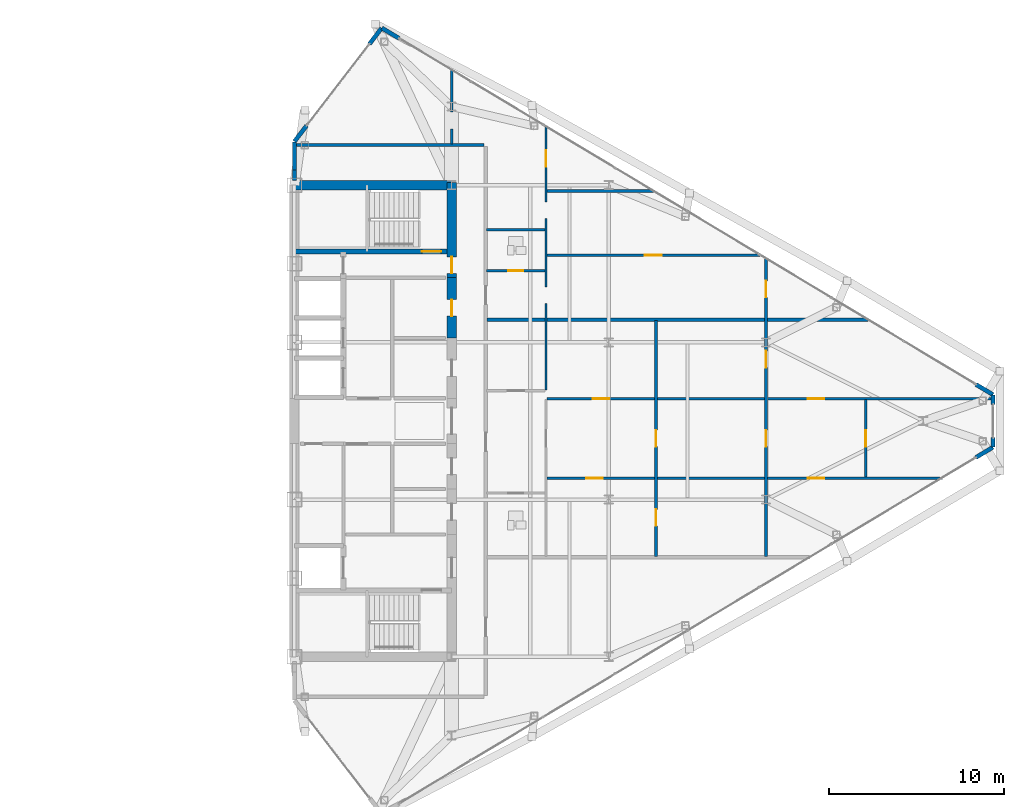
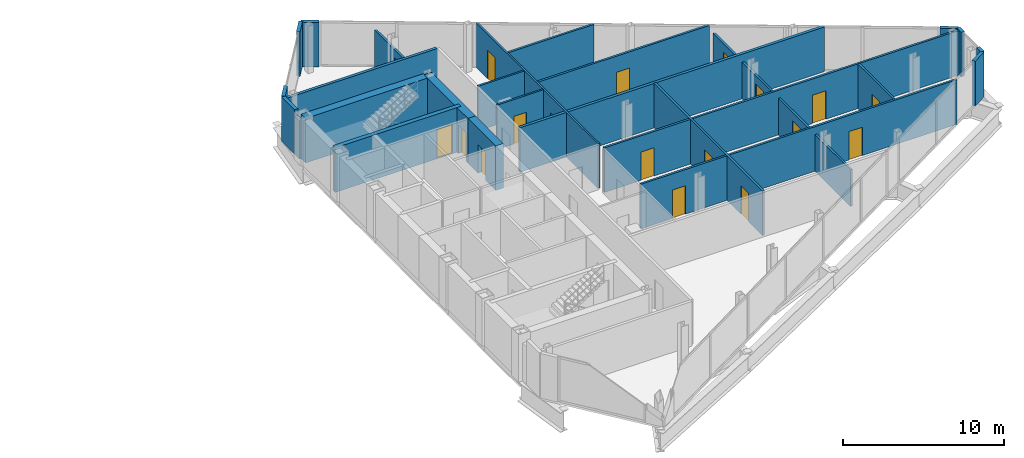
# One storey, part 25 of 29: 26 walls, 16 doors, 19 openings.
"""IFC4 building model written with IfcOpenShell, lengths in metres."""

from ifc_helpers import new_model, si_unit, direction, frame, frame_2d, origin, place, context, subcontext, project, spatial, rectangle, extrude, source, transform, mapped, material, layer, layer_set, type_object, type_shapes, element, fill, save


model = new_model("IFC4")

# Units and contexts
model_context = context("Model", 3, precision=1e-05, world=origin(), true_north=direction((0.0, 1.0)))
body_context = subcontext(model_context, "Body", "Model", "MODEL_VIEW")
ifc_project = project(units=[si_unit("LENGTHUNIT", "METRE"), si_unit("AREAUNIT", "SQUARE_METRE"), si_unit("VOLUMEUNIT", "CUBIC_METRE"), si_unit("PLANEANGLEUNIT", "RADIAN"), si_unit("MASSUNIT", "GRAM", prefix="KILO")], contexts=[model_context])

# Site, building, storey
site_placement = place(None, origin())
site = spatial("IfcSite", under=ifc_project, at=site_placement, CompositionType="ELEMENT")
building_placement = place(site_placement, origin())
building = spatial("IfcBuilding", under=site, at=building_placement, Name="Seokmaru Belvedere", CompositionType="ELEMENT")
storey_placement = place(building_placement, frame((0.0, 0.0, 195.89990234375)))
storey = spatial("IfcBuildingStorey", under=building, at=storey_placement, Name="L52", CompositionType="ELEMENT", Elevation=195.89990234375)

# Wall, openings, doors
ifc_material_1 = material(Name="Fire-Rated Gypsum Shaftwall")
ifc_layer_1 = layer(ifc_material_1, 0.14990234375)
ifc_layer_set_1 = layer_set([ifc_layer_1], Name="Fire-Rated Gypsum Shaftwall")
wall_type_1 = type_object("IfcWallType", Name="Apartment Fire-Acoustic Room Partition 150", PredefinedType="PARTITIONING", material=ifc_layer_set_1)
wall_1_placement = place(storey_placement, frame((41.949951171875, -3.27001953125, 0.0), z_axis=(0.0, 0.0, 1.0), x_axis=(1.0, 0.0, 0.0)))
wall_1 = element("IfcWall", 1, at=wall_1_placement, inside=storey, type_object=wall_type_1, Name="L52 Interior Partition 009", PredefinedType="PARTITIONING", context=body_context, shape_type="SweptSolid", body=[
    extrude(rectangle(XDim=22.64111328125, YDim=0.14990234375, at=frame_2d((11.320556640625, 0.0))), origin(), (0.0, 0.0, 1.0), 3.380126953125),
])
opening_1_placement = place(wall_1_placement, frame((2.251708984375, 0.0, 0.0)))
opening_1 = element("IfcOpeningElement", 2, at=opening_1_placement, cuts=wall_1, Name="Opening D05", PredefinedType="OPENING", context=body_context, shape_type="SweptSolid", body=[
    extrude(rectangle(XDim=0.949951171875, YDim=2.14990234375, at=frame_2d((0.47509765625, 1.074951171875))), frame((0.0, 0.0849609375, 0.0), z_axis=(0.0, -1.0, 0.0), x_axis=(1.0, 0.0, 0.0)), (0.0, 0.0, 1.0), 0.169921875),
])
opening_2_placement = place(wall_1_placement, frame((14.925048828125, 0.0, 0.0)))
opening_2 = element("IfcOpeningElement", 3, at=opening_2_placement, cuts=wall_1, Name="Opening D05", PredefinedType="OPENING", context=body_context, shape_type="SweptSolid", body=[
    extrude(rectangle(XDim=0.949951171875, YDim=2.14990234375, at=frame_2d((0.47509765625, 1.074951171875))), frame((0.0, 0.0849609375, 0.0), z_axis=(0.0, -1.0, 0.0), x_axis=(1.0, 0.0, 0.0)), (0.0, 0.0, 1.0), 0.169921875),
])
ifc_material_2 = material(Name="Engineered White Oak Timber", Category="wood")
door_type_1 = type_object("IfcDoorType", Name="Apartment Interior Fire-Rated Oak Door 950x2150", OperationType="NOTDEFINED", PredefinedType="DOOR", material=ifc_material_2)
shared_shape_1 = source(origin(), body_context, "Body", "SweptSolid", [
    extrude(rectangle(XDim=0.949951171875, YDim=2.14990234375, at=frame_2d((0.47509765625, 1.074951171875))), frame((0.0, 0.02490234375, 0.0), z_axis=(0.0, -1.0, 0.0), x_axis=(1.0, 0.0, 0.0)), (0.0, 0.0, 1.0), 0.050048828125),
])
type_shapes(door_type_1, [shared_shape_1])
door_1_placement = place(opening_1_placement, origin())
door_1 = element("IfcDoor", 4, at=door_1_placement, inside=storey, type_object=door_type_1, Name="L52 Interior Door 023", OperationType="SINGLE_SWING_RIGHT", OverallHeight=2.14990234375, OverallWidth=0.949951171875, PredefinedType="DOOR", context=body_context, shape_type="MappedRepresentation", body=[
    mapped(shared_shape_1, transform((0.0, 0.0, 0.0), scale=1.0)),
])
fill(opening_1, door_1)
door_2_placement = place(opening_2_placement, origin())
door_2 = element("IfcDoor", 5, at=door_2_placement, inside=storey, type_object=door_type_1, Name="L52 Interior Door 027", OperationType="SINGLE_SWING_RIGHT", OverallHeight=2.14990234375, OverallWidth=0.949951171875, PredefinedType="DOOR", context=body_context, shape_type="MappedRepresentation", body=[
    mapped(shared_shape_1, transform((0.0, 0.0, 0.0), scale=1.0)),
])
fill(opening_2, door_2)

wall_2_placement = place(storey_placement, frame((41.949951171875, 1.27001953125, 0.0), z_axis=(0.0, 0.0, 1.0), x_axis=(1.0, 0.0, 0.0)))
wall_2 = element("IfcWall", 6, at=wall_2_placement, inside=storey, type_object=wall_type_1, Name="L52 Interior Partition 012", PredefinedType="PARTITIONING", context=body_context, shape_type="SweptSolid", body=[
    extrude(rectangle(XDim=25.425048828125, YDim=0.14990234375, at=frame_2d((12.71240234375, 0.0))), origin(), (0.0, 0.0, 1.0), 3.380126953125),
])
opening_3_placement = place(wall_2_placement, frame((2.625, 0.0, 0.0)))
opening_3 = element("IfcOpeningElement", 7, at=opening_3_placement, cuts=wall_2, Name="Opening D05", PredefinedType="OPENING", context=body_context, shape_type="SweptSolid", body=[
    extrude(rectangle(XDim=0.949951171875, YDim=2.14990234375, at=frame_2d((0.47509765625, 1.074951171875))), frame((0.0, 0.0849609375, 0.0), z_axis=(0.0, -1.0, 0.0), x_axis=(1.0, 0.0, 0.0)), (0.0, 0.0, 1.0), 0.169921875),
])
opening_4_placement = place(wall_2_placement, frame((14.925048828125, 0.0, 0.0)))
opening_4 = element("IfcOpeningElement", 8, at=opening_4_placement, cuts=wall_2, Name="Opening D05", PredefinedType="OPENING", context=body_context, shape_type="SweptSolid", body=[
    extrude(rectangle(XDim=0.949951171875, YDim=2.14990234375, at=frame_2d((0.47509765625, 1.074951171875))), frame((0.0, 0.0849609375, 0.0), z_axis=(0.0, -1.0, 0.0), x_axis=(1.0, 0.0, 0.0)), (0.0, 0.0, 1.0), 0.169921875),
])
door_3_placement = place(opening_3_placement, origin())
door_3 = element("IfcDoor", 9, at=door_3_placement, inside=storey, type_object=door_type_1, Name="L52 Interior Door 025", OperationType="SINGLE_SWING_LEFT", OverallHeight=2.14990234375, OverallWidth=0.949951171875, PredefinedType="DOOR", context=body_context, shape_type="MappedRepresentation", body=[
    mapped(shared_shape_1, transform((0.0, 0.0, 0.0), scale=1.0)),
])
fill(opening_3, door_3)
door_4_placement = place(opening_4_placement, origin())
door_4 = element("IfcDoor", 10, at=door_4_placement, inside=storey, type_object=door_type_1, Name="L52 Interior Door 029", OperationType="SINGLE_SWING_LEFT", OverallHeight=2.14990234375, OverallWidth=0.949951171875, PredefinedType="DOOR", context=body_context, shape_type="MappedRepresentation", body=[
    mapped(shared_shape_1, transform((0.0, 0.0, 0.0), scale=1.0)),
])
fill(opening_4, door_4)

# Wall, opening, door
wall_3_placement = place(storey_placement, frame((41.949951171875, 9.489990234375, 0.0), z_axis=(0.0, 0.0, 1.0), x_axis=(1.0, 0.0, 0.0)))
wall_3 = element("IfcWall", 11, at=wall_3_placement, inside=storey, type_object=wall_type_1, Name="L52 Interior Partition 019", PredefinedType="PARTITIONING", context=body_context, shape_type="SweptSolid", body=[
    extrude(rectangle(XDim=12.274169921875, YDim=0.14990234375, at=frame_2d((6.13720703125, 0.0))), origin(), (0.0, 0.0, 1.0), 3.380126953125),
])
opening_5_placement = place(wall_3_placement, frame((5.619384765625, 0.0, 0.0)))
opening_5 = element("IfcOpeningElement", 12, at=opening_5_placement, cuts=wall_3, Name="Opening D05", PredefinedType="OPENING", context=body_context, shape_type="SweptSolid", body=[
    extrude(rectangle(XDim=0.949951171875, YDim=2.14990234375, at=frame_2d((0.47509765625, 1.074951171875))), frame((0.0, 0.0849609375, 0.0), z_axis=(0.0, -1.0, 0.0), x_axis=(1.0, 0.0, 0.0)), (0.0, 0.0, 1.0), 0.169921875),
])
door_5_placement = place(opening_5_placement, origin())
door_5 = element("IfcDoor", 13, at=door_5_placement, inside=storey, type_object=door_type_1, Name="L52 Interior Door 036", OperationType="SINGLE_SWING_RIGHT", OverallHeight=2.14990234375, OverallWidth=0.949951171875, PredefinedType="DOOR", context=body_context, shape_type="MappedRepresentation", body=[
    mapped(shared_shape_1, transform((0.0, 0.0, 0.0), scale=1.0)),
])
fill(opening_5, door_5)

# Wall
wall_4_placement = place(storey_placement, frame((41.949951171875, 13.169921875, 0.0), z_axis=(0.0, 0.0, 1.0), x_axis=(1.0, 0.0, 0.0)))
element("IfcWall", 14, at=wall_4_placement, inside=storey, type_object=wall_type_1, Name="L52 Interior Partition 021", PredefinedType="PARTITIONING", context=body_context, shape_type="SweptSolid", body=[
    extrude(rectangle(XDim=6.130126953125, YDim=0.14990234375, at=frame_2d((3.06494140625, 0.0))), origin(), (0.0, 0.0, 1.0), 3.380126953125),
])

# Wall, opening
wall_5_placement = place(storey_placement, frame((36.5, 15.85009765625, 0.0), z_axis=(0.0, 0.0, 1.0), x_axis=(0.0, 1.0, 0.0)))
wall_5 = element("IfcWall", 15, at=wall_5_placement, inside=storey, type_object=wall_type_1, Name="L52 Interior Partition 031", PredefinedType="PARTITIONING", context=body_context, shape_type="SweptSolid", body=[
    extrude(rectangle(XDim=4.284912109375, YDim=0.14990234375, at=frame_2d((2.142578125, 0.0))), origin(), (0.0, 0.0, 1.0), 2.780029296875),
])
opening_6_placement = place(wall_5_placement, frame((0.8779296875, 0.0, 0.0)))
element("IfcOpeningElement", 16, at=opening_6_placement, cuts=wall_5, Name="L52 Cased Opening 039", PredefinedType="OPENING", context=body_context, shape_type="SweptSolid", body=[
    extrude(rectangle(XDim=0.949951171875, YDim=2.14990234375, at=frame_2d((0.47509765625, 1.074951171875))), frame((0.0, 0.0849609375, 0.0), z_axis=(0.0, -1.0, 0.0), x_axis=(1.0, 0.0, 0.0)), (0.0, 0.0, 1.0), 0.169921875),
])

# Wall, openings, doors
wall_6_placement = place(storey_placement, frame((48.199951171875, -7.75, 0.0), z_axis=(0.0, 0.0, 1.0), x_axis=(0.0, 1.0, 0.0)))
wall_6 = element("IfcWall", 17, at=wall_6_placement, inside=storey, type_object=wall_type_1, Name="L52 Interior Partition 035", PredefinedType="PARTITIONING", context=body_context, shape_type="SweptSolid", body=[
    extrude(rectangle(XDim=13.5, YDim=0.14990234375, at=frame_2d((6.75, 0.0))), origin(), (0.0, 0.0, 1.0), 3.380126953125),
])
opening_7_placement = place(wall_6_placement, frame((6.27490234375, 0.0, 0.0)))
opening_7 = element("IfcOpeningElement", 18, at=opening_7_placement, cuts=wall_6, Name="Opening D05", PredefinedType="OPENING", context=body_context, shape_type="SweptSolid", body=[
    extrude(rectangle(XDim=0.949951171875, YDim=2.14990234375, at=frame_2d((0.47509765625, 1.074951171875))), frame((0.0, 0.0849609375, 0.0), z_axis=(0.0, -1.0, 0.0), x_axis=(1.0, 0.0, 0.0)), (0.0, 0.0, 1.0), 0.169921875),
])
opening_8_placement = place(wall_6_placement, frame((1.74169921875, 0.0, 0.0)))
opening_8 = element("IfcOpeningElement", 19, at=opening_8_placement, cuts=wall_6, Name="Opening D05", PredefinedType="OPENING", context=body_context, shape_type="SweptSolid", body=[
    extrude(rectangle(XDim=0.949951171875, YDim=2.14990234375, at=frame_2d((0.47509765625, 1.074951171875))), frame((0.0, 0.0849609375, 0.0), z_axis=(0.0, -1.0, 0.0), x_axis=(1.0, 0.0, 0.0)), (0.0, 0.0, 1.0), 0.169921875),
])
door_6_placement = place(opening_7_placement, origin())
door_6 = element("IfcDoor", 20, at=door_6_placement, inside=storey, type_object=door_type_1, Name="L52 Interior Door 024", OperationType="SINGLE_SWING_LEFT", OverallHeight=2.14990234375, OverallWidth=0.949951171875, PredefinedType="DOOR", context=body_context, shape_type="MappedRepresentation", body=[
    mapped(shared_shape_1, transform((0.0, 0.0, 0.0), scale=1.0)),
])
fill(opening_7, door_6)
door_7_placement = place(opening_8_placement, origin())
door_7 = element("IfcDoor", 21, at=door_7_placement, inside=storey, type_object=door_type_1, Name="L52 Interior Door 030", OperationType="SINGLE_SWING_LEFT", OverallHeight=2.14990234375, OverallWidth=0.949951171875, PredefinedType="DOOR", context=body_context, shape_type="MappedRepresentation", body=[
    mapped(shared_shape_1, transform((0.0, 0.0, 0.0), scale=1.0)),
])
fill(opening_8, door_7)

wall_7_placement = place(storey_placement, frame((54.5, -7.75, 0.0), z_axis=(0.0, 0.0, 1.0), x_axis=(0.0, 1.0, 0.0)))
wall_7 = element("IfcWall", 22, at=wall_7_placement, inside=storey, type_object=wall_type_1, Name="L52 Interior Partition 036", PredefinedType="PARTITIONING", context=body_context, shape_type="SweptSolid", body=[
    extrude(rectangle(XDim=17.0849609375, YDim=0.14990234375, at=frame_2d((8.54248046875, 0.0))), origin(), (0.0, 0.0, 1.0), 2.780029296875),
])
opening_9_placement = place(wall_7_placement, frame((6.27490234375, 0.0, 0.0)))
opening_9 = element("IfcOpeningElement", 23, at=opening_9_placement, cuts=wall_7, Name="Opening D05", PredefinedType="OPENING", context=body_context, shape_type="SweptSolid", body=[
    extrude(rectangle(XDim=0.949951171875, YDim=2.14990234375, at=frame_2d((0.47509765625, 1.074951171875))), frame((0.0, 0.0849609375, 0.0), z_axis=(0.0, -1.0, 0.0), x_axis=(1.0, 0.0, 0.0)), (0.0, 0.0, 1.0), 0.169921875),
])
opening_10_placement = place(wall_7_placement, frame((10.808349609375, 0.0, 0.0)))
opening_10 = element("IfcOpeningElement", 24, at=opening_10_placement, cuts=wall_7, Name="Opening D05", PredefinedType="OPENING", context=body_context, shape_type="SweptSolid", body=[
    extrude(rectangle(XDim=0.949951171875, YDim=2.14990234375, at=frame_2d((0.47509765625, 1.074951171875))), frame((0.0, 0.0849609375, 0.0), z_axis=(0.0, -1.0, 0.0), x_axis=(1.0, 0.0, 0.0)), (0.0, 0.0, 1.0), 0.169921875),
])
opening_11_placement = place(wall_7_placement, frame((14.824951171875, 0.0, 0.0)))
opening_11 = element("IfcOpeningElement", 25, at=opening_11_placement, cuts=wall_7, Name="Opening D05", PredefinedType="OPENING", context=body_context, shape_type="SweptSolid", body=[
    extrude(rectangle(XDim=0.949951171875, YDim=2.14990234375, at=frame_2d((0.47509765625, 1.074951171875))), frame((0.0, 0.0849609375, 0.0), z_axis=(0.0, -1.0, 0.0), x_axis=(1.0, 0.0, 0.0)), (0.0, 0.0, 1.0), 0.169921875),
])
door_8_placement = place(opening_9_placement, origin())
door_8 = element("IfcDoor", 26, at=door_8_placement, inside=storey, type_object=door_type_1, Name="L52 Interior Door 026", OperationType="SINGLE_SWING_RIGHT", OverallHeight=2.14990234375, OverallWidth=0.949951171875, PredefinedType="DOOR", context=body_context, shape_type="MappedRepresentation", body=[
    mapped(shared_shape_1, transform((0.0, 0.0, 0.0), scale=1.0)),
])
fill(opening_9, door_8)
door_9_placement = place(opening_10_placement, origin())
door_9 = element("IfcDoor", 27, at=door_9_placement, inside=storey, type_object=door_type_1, Name="L52 Interior Door 031", OperationType="SINGLE_SWING_RIGHT", OverallHeight=2.14990234375, OverallWidth=0.949951171875, PredefinedType="DOOR", context=body_context, shape_type="MappedRepresentation", body=[
    mapped(shared_shape_1, transform((0.0, 0.0, 0.0), scale=1.0)),
])
fill(opening_10, door_9)
door_10_placement = place(opening_11_placement, origin())
door_10 = element("IfcDoor", 28, at=door_10_placement, inside=storey, type_object=door_type_1, Name="L52 Interior Door 035", OperationType="SINGLE_SWING_LEFT", OverallHeight=2.14990234375, OverallWidth=0.949951171875, PredefinedType="DOOR", context=body_context, shape_type="MappedRepresentation", body=[
    mapped(shared_shape_1, transform((0.0, 0.0, 0.0), scale=1.0)),
])
fill(opening_11, door_10)

# Wall, opening, door
wall_8_placement = place(storey_placement, frame((60.199951171875, -3.217041015625, 0.0), z_axis=(0.0, 0.0, 1.0), x_axis=(0.0, 1.0, 0.0)))
wall_8 = element("IfcWall", 29, at=wall_8_placement, inside=storey, type_object=wall_type_1, Name="L52 Interior Partition 037", PredefinedType="PARTITIONING", context=body_context, shape_type="SweptSolid", body=[
    extrude(rectangle(XDim=4.43408203125, YDim=0.14990234375, at=frame_2d((2.217041015625, 0.0))), origin(), (0.0, 0.0, 1.0), 3.380126953125),
])
opening_12_placement = place(wall_8_placement, frame((1.741943359375, 0.0, 0.0)))
opening_12 = element("IfcOpeningElement", 30, at=opening_12_placement, cuts=wall_8, Name="Opening D05", PredefinedType="OPENING", context=body_context, shape_type="SweptSolid", body=[
    extrude(rectangle(XDim=0.949951171875, YDim=2.14990234375, at=frame_2d((0.47509765625, 1.074951171875))), frame((0.0, 0.0849609375, 0.0), z_axis=(0.0, -1.0, 0.0), x_axis=(1.0, 0.0, 0.0)), (0.0, 0.0, 1.0), 0.169921875),
])
door_11_placement = place(opening_12_placement, origin())
door_11 = element("IfcDoor", 31, at=door_11_placement, inside=storey, type_object=door_type_1, Name="L52 Interior Door 028", OperationType="SINGLE_SWING_LEFT", OverallHeight=2.14990234375, OverallWidth=0.949951171875, PredefinedType="DOOR", context=body_context, shape_type="MappedRepresentation", body=[
    mapped(shared_shape_1, transform((0.0, 0.0, 0.0), scale=1.0)),
])
fill(opening_12, door_11)

# Walls
ifc_layer_2 = layer(ifc_material_1, 0.199951171875)
ifc_layer_set_2 = layer_set([ifc_layer_2], Name="Fire-Rated Gypsum Shaftwall")
wall_type_2 = type_object("IfcWallType", Name="Inter-Tenancy Fire Compartment Partition 200", PredefinedType="PARTITIONING", material=ifc_layer_set_2)
wall_9_placement = place(storey_placement, frame((38.530029296875, 5.800048828125, 0.0), z_axis=(0.0, 0.0, 1.0), x_axis=(1.0, 0.0, 0.0)))
element("IfcWall", 32, at=wall_9_placement, inside=storey, type_object=wall_type_2, Name="L52 Interior Partition 016", PredefinedType="PARTITIONING", context=body_context, shape_type="SweptSolid", body=[
    extrude(rectangle(XDim=21.81298828125, YDim=0.199951171875, at=frame_2d((10.906494140625, 0.0))), origin(), (0.0, 0.0, 1.0), 3.380126953125),
])
wall_10_placement = place(storey_placement, frame((27.625, 15.800048828125, 0.0), z_axis=(0.0, 0.0, 1.0), x_axis=(1.0, 0.0, 0.0)))
element("IfcWall", 33, at=wall_10_placement, inside=storey, type_object=wall_type_2, Name="L52 Interior Partition 023", PredefinedType="PARTITIONING", context=body_context, shape_type="SweptSolid", body=[
    extrude(rectangle(XDim=10.739990234375, YDim=0.199951171875, at=frame_2d((5.3701171875, 0.0))), origin(), (0.0, 0.0, 1.0), 3.380126953125),
])

# Wall, opening, door
ifc_material_3 = material(Name="Concrete C50 (50 MPa)", Category="concrete")
ifc_layer_3 = layer(ifc_material_3, 0.300048828125)
ifc_layer_set_3 = layer_set([ifc_layer_3], Name="Concrete C50 (50 MPa)")
wall_type_3 = type_object("IfcWallType", Name="Internal Core Stair and Hoistway Wall 300", PredefinedType="SHEAR", material=ifc_layer_set_3)
wall_11_placement = place(storey_placement, frame((27.5, 9.699951171875, 0.0), z_axis=(0.0, 0.0, 1.0), x_axis=(1.0, 0.0, 0.0)))
wall_11 = element("IfcWall", 34, at=wall_11_placement, inside=storey, type_object=wall_type_3, Name="L52 East Stair ST-2 Enclosure Wall", PredefinedType="SHEAR", context=body_context, shape_type="SweptSolid", body=[
    extrude(rectangle(XDim=9.0, YDim=0.300048828125, at=frame_2d((4.5, 0.0))), origin(), (0.0, 0.0, 1.0), 3.380126953125),
])
opening_13_placement = place(wall_11_placement, frame((7.300048828125, 0.0, 0.0)))
opening_13 = element("IfcOpeningElement", 35, at=opening_13_placement, cuts=wall_11, Name="Opening D01", PredefinedType="OPENING", context=body_context, shape_type="SweptSolid", body=[
    extrude(rectangle(XDim=1.10009765625, YDim=2.199951171875, at=frame_2d((0.550048828125, 1.10009765625))), frame((0.0, 0.16015625, 0.0), z_axis=(0.0, -1.0, 0.0), x_axis=(1.0, 0.0, 0.0)), (0.0, 0.0, 1.0), 0.320068359375),
])
ifc_material_4 = material(Name="Fire-Rated Steel Leaf", Category="steel")
door_type_2 = type_object("IfcDoorType", Name="Special Escape Stair Smokeproof Fire Door 1100x2200", OperationType="NOTDEFINED", PredefinedType="DOOR", material=ifc_material_4)
shared_shape_2 = source(origin(), body_context, "Body", "SweptSolid", [
    extrude(rectangle(XDim=1.10009765625, YDim=2.199951171875, at=frame_2d((0.550048828125, 1.10009765625))), frame((0.0, 0.02490234375, 0.0), z_axis=(0.0, -1.0, 0.0), x_axis=(1.0, 0.0, 0.0)), (0.0, 0.0, 1.0), 0.050048828125),
])
type_shapes(door_type_2, [shared_shape_2])
door_12_placement = place(opening_13_placement, origin())
door_12 = element("IfcDoor", 36, at=door_12_placement, inside=storey, type_object=door_type_2, Name="L52 East Special Escape Stair ST-2 Door", OperationType="SINGLE_SWING_LEFT", OverallHeight=2.199951171875, OverallWidth=1.10009765625, PredefinedType="DOOR", context=body_context, shape_type="MappedRepresentation", body=[
    mapped(shared_shape_2, transform((0.0, 0.0, 0.0), scale=1.0)),
])
fill(opening_13, door_12)

# Wall
ifc_layer_4 = layer(ifc_material_3, 0.550048828125)
ifc_layer_set_4 = layer_set([ifc_layer_4], Name="Concrete C50 (50 MPa)")
wall_type_4 = type_object("IfcWallType", Name="Mid-High Reinforced Concrete Core Wall 550", PredefinedType="SHEAR", material=ifc_layer_set_4)
wall_12_placement = place(storey_placement, frame((27.5, 13.5, 0.0), z_axis=(0.0, 0.0, 1.0), x_axis=(1.0, 0.0, 0.0)))
element("IfcWall", 37, at=wall_12_placement, inside=storey, type_object=wall_type_4, Name="L52 East North Core Wall", PredefinedType="SHEAR", context=body_context, shape_type="SweptSolid", body=[
    extrude(rectangle(XDim=9.0, YDim=0.550048828125, at=frame_2d((4.5, 0.0))), origin(), (0.0, 0.0, 1.0), 3.380126953125),
])

# Wall, opening, door
wall_13_placement = place(storey_placement, frame((36.5, 8.199951171875, 0.0), z_axis=(0.0, 0.0, 1.0), x_axis=(0.0, 1.0, 0.0)))
wall_13 = element("IfcWall", 38, at=wall_13_placement, inside=storey, type_object=wall_type_4, Name="L52 East West Core Wall VST", PredefinedType="SHEAR", context=body_context, shape_type="SweptSolid", body=[
    extrude(rectangle(XDim=5.449951171875, YDim=0.550048828125, at=frame_2d((2.72509765625, 0.0))), origin(), (0.0, 0.0, 1.0), 3.380126953125),
])
opening_14_placement = place(wall_13_placement, frame((0.2451171875, 0.0, 0.0)))
opening_14 = element("IfcOpeningElement", 39, at=opening_14_placement, cuts=wall_13, Name="Opening D04", PredefinedType="OPENING", context=body_context, shape_type="SweptSolid", body=[
    extrude(rectangle(XDim=0.949951171875, YDim=2.14990234375, at=frame_2d((0.47509765625, 1.074951171875))), frame((0.0, 0.28515625, 0.0), z_axis=(0.0, -1.0, 0.0), x_axis=(1.0, 0.0, 0.0)), (0.0, 0.0, 1.0), 0.570068359375),
])
door_type_3 = type_object("IfcDoorType", Name="Core Service Room Fire Door 950x2150", OperationType="NOTDEFINED", PredefinedType="DOOR", material=ifc_material_4)
shared_shape_3 = source(origin(), body_context, "Body", "SweptSolid", [
    extrude(rectangle(XDim=0.949951171875, YDim=2.14990234375, at=frame_2d((0.47509765625, 1.074951171875))), frame((0.0, 0.02490234375, 0.0), z_axis=(0.0, -1.0, 0.0), x_axis=(1.0, 0.0, 0.0)), (0.0, 0.0, 1.0), 0.050048828125),
])
type_shapes(door_type_3, [shared_shape_3])
door_13_placement = place(opening_14_placement, origin())
door_13 = element("IfcDoor", 40, at=door_13_placement, inside=storey, type_object=door_type_3, Name="L52 East Smokeproof Vestibule Door", OperationType="SINGLE_SWING_LEFT", OverallHeight=2.14990234375, OverallWidth=0.949951171875, PredefinedType="DOOR", context=body_context, shape_type="MappedRepresentation", body=[
    mapped(shared_shape_3, transform((0.0, 0.0, 0.0), scale=1.0)),
])
fill(opening_14, door_13)

wall_14_placement = place(storey_placement, frame((36.5, 4.75, 0.0), z_axis=(0.0, 0.0, 1.0), x_axis=(0.0, 1.0, 0.0)))
wall_14 = element("IfcWall", 41, at=wall_14_placement, inside=storey, type_object=wall_type_4, Name="L52 East West Core Wall CS4", PredefinedType="SHEAR", context=body_context, shape_type="SweptSolid", body=[
    extrude(rectangle(XDim=3.449951171875, YDim=0.550048828125, at=frame_2d((1.72509765625, 0.0))), origin(), (0.0, 0.0, 1.0), 3.380126953125),
])
opening_15_placement = place(wall_14_placement, frame((1.25, 0.0, 0.0)))
opening_15 = element("IfcOpeningElement", 42, at=opening_15_placement, cuts=wall_14, Name="Opening D04", PredefinedType="OPENING", context=body_context, shape_type="SweptSolid", body=[
    extrude(rectangle(XDim=0.949951171875, YDim=2.14990234375, at=frame_2d((0.47509765625, 1.074951171875))), frame((0.0, 0.28515625, 0.0), z_axis=(0.0, -1.0, 0.0), x_axis=(1.0, 0.0, 0.0)), (0.0, 0.0, 1.0), 0.570068359375),
])
door_14_placement = place(opening_15_placement, origin())
door_14 = element("IfcDoor", 43, at=door_14_placement, inside=storey, type_object=door_type_3, Name="L52 East Core Service Room Door 4", OperationType="SINGLE_SWING_LEFT", OverallHeight=2.14990234375, OverallWidth=0.949951171875, PredefinedType="DOOR", context=body_context, shape_type="MappedRepresentation", body=[
    mapped(shared_shape_3, transform((0.0, 0.0, 0.0), scale=1.0)),
])
fill(opening_15, door_14)

ifc_layer_5 = layer(ifc_material_1, 0.1298828125)
ifc_layer_set_5 = layer_set([ifc_layer_5], Name="Fire-Rated Gypsum Shaftwall")
wall_type_5 = type_object("IfcWallType", Name="Moisture-Resistant Fire-Rated Bathroom Partition 130", PredefinedType="PARTITIONING", material=ifc_layer_set_5)
wall_15_placement = place(storey_placement, frame((38.5, 8.60009765625, 0.0), z_axis=(0.0, 0.0, 1.0), x_axis=(1.0, 0.0, 0.0)))
wall_15 = element("IfcWall", 44, at=wall_15_placement, inside=storey, type_object=wall_type_5, Name="L52 Interior Partition 018", PredefinedType="PARTITIONING", context=body_context, shape_type="SweptSolid", body=[
    extrude(rectangle(XDim=3.35009765625, YDim=0.1298828125, at=frame_2d((1.675048828125, 0.0))), origin(), (0.0, 0.0, 1.0), 3.380126953125),
])
opening_16_placement = place(wall_15_placement, frame((1.235107421875, 0.0, 0.0)))
opening_16 = element("IfcOpeningElement", 45, at=opening_16_placement, cuts=wall_15, Name="Opening D06", PredefinedType="OPENING", context=body_context, shape_type="SweptSolid", body=[
    extrude(rectangle(XDim=0.8798828125, YDim=2.10009765625, at=frame_2d((0.43994140625, 1.050048828125))), frame((0.0, 0.074951171875, 0.0), z_axis=(0.0, -1.0, 0.0), x_axis=(1.0, 0.0, 0.0)), (0.0, 0.0, 1.0), 0.14990234375),
])
door_type_4 = type_object("IfcDoorType", Name="Bathroom and Restroom Fire-Rated Door 880x2100", OperationType="NOTDEFINED", PredefinedType="DOOR", material=ifc_material_2)
shared_shape_4 = source(origin(), body_context, "Body", "SweptSolid", [
    extrude(rectangle(XDim=0.8798828125, YDim=2.10009765625, at=frame_2d((0.43994140625, 1.050048828125))), frame((0.0, 0.02490234375, 0.0), z_axis=(0.0, -1.0, 0.0), x_axis=(1.0, 0.0, 0.0)), (0.0, 0.0, 1.0), 0.050048828125),
])
type_shapes(door_type_4, [shared_shape_4])
door_15_placement = place(opening_16_placement, origin())
door_15 = element("IfcDoor", 46, at=door_15_placement, inside=storey, type_object=door_type_4, Name="L52 Interior Door 033", OperationType="SINGLE_SWING_RIGHT", OverallHeight=2.10009765625, OverallWidth=0.8798828125, PredefinedType="DOOR", context=body_context, shape_type="MappedRepresentation", body=[
    mapped(shared_shape_4, transform((0.0, 0.0, 0.0), scale=1.0)),
])
fill(opening_16, door_15)

# Wall
wall_16_placement = place(storey_placement, frame((38.5, 10.949951171875, 0.0), z_axis=(0.0, 0.0, 1.0), x_axis=(1.0, 0.0, 0.0)))
element("IfcWall", 47, at=wall_16_placement, inside=storey, type_object=wall_type_5, Name="L52 Interior Partition 020", PredefinedType="PARTITIONING", context=body_context, shape_type="SweptSolid", body=[
    extrude(rectangle(XDim=3.35009765625, YDim=0.1298828125, at=frame_2d((1.675048828125, 0.0))), origin(), (0.0, 0.0, 1.0), 3.380126953125),
])

# Wall, openings, door
wall_17_placement = place(storey_placement, frame((41.89990234375, 1.77197265625, 0.0), z_axis=(0.0, 0.0, 1.0), x_axis=(0.0, 1.0, 0.0)))
wall_17 = element("IfcWall", 48, at=wall_17_placement, inside=storey, type_object=wall_type_5, Name="L52 Interior Partition 034", PredefinedType="PARTITIONING", context=body_context, shape_type="SweptSolid", body=[
    extrude(rectangle(XDim=15.123046875, YDim=0.1298828125, at=frame_2d((7.5615234375, 0.0))), origin(), (0.0, 0.0, 1.0), 3.380126953125),
])
opening_17_placement = place(wall_17_placement, frame((4.950439453125, 0.0, 0.0)))
element("IfcOpeningElement", 49, at=opening_17_placement, cuts=wall_17, Name="L52 Cased Opening 034", PredefinedType="OPENING", context=body_context, shape_type="SweptSolid", body=[
    extrude(rectangle(XDim=0.949951171875, YDim=2.14990234375, at=frame_2d((0.47509765625, 1.074951171875))), frame((0.0, 0.074951171875, 0.0), z_axis=(0.0, -1.0, 0.0), x_axis=(1.0, 0.0, 0.0)), (0.0, 0.0, 1.0), 0.14990234375),
])
opening_18_placement = place(wall_17_placement, frame((9.81201171875, 0.0, 0.0)))
element("IfcOpeningElement", 50, at=opening_18_placement, cuts=wall_17, Name="L52 Cased Opening 037", PredefinedType="OPENING", context=body_context, shape_type="SweptSolid", body=[
    extrude(rectangle(XDim=0.949951171875, YDim=2.14990234375, at=frame_2d((0.47509765625, 1.074951171875))), frame((0.0, 0.074951171875, 0.0), z_axis=(0.0, -1.0, 0.0), x_axis=(1.0, 0.0, 0.0)), (0.0, 0.0, 1.0), 0.14990234375),
])
opening_19_placement = place(wall_17_placement, frame((12.769775390625, 0.0, 0.0)))
opening_19 = element("IfcOpeningElement", 51, at=opening_19_placement, cuts=wall_17, Name="Opening D05", PredefinedType="OPENING", context=body_context, shape_type="SweptSolid", body=[
    extrude(rectangle(XDim=0.949951171875, YDim=2.14990234375, at=frame_2d((0.47509765625, 1.074951171875))), frame((0.0, 0.074951171875, 0.0), z_axis=(0.0, -1.0, 0.0), x_axis=(1.0, 0.0, 0.0)), (0.0, 0.0, 1.0), 0.14990234375),
])
door_16_placement = place(opening_19_placement, origin())
door_16 = element("IfcDoor", 52, at=door_16_placement, inside=storey, type_object=door_type_1, Name="L52 Interior Door 038", OperationType="SINGLE_SWING_RIGHT", OverallHeight=2.14990234375, OverallWidth=0.949951171875, PredefinedType="DOOR", context=body_context, shape_type="MappedRepresentation", body=[
    mapped(shared_shape_1, transform((0.0, 0.0, 0.0), scale=1.0)),
])
fill(opening_19, door_16)

# Walls
ifc_material_5 = material(Name="Anodised Bronze Aluminium", Category="aluminium")
ifc_layer_6 = layer(ifc_material_5, 0.239990234375)
ifc_layer_set_6 = layer_set([ifc_layer_6], Name="Anodised Bronze Aluminium")
wall_type_6 = type_object("IfcWallType", Name="Tower Corner Spandrel Closure Wall 240", PredefinedType="SOLIDWALL", material=ifc_layer_set_6)
wall_18_placement = place(storey_placement, frame((66.513916015625, -2.091796875, 0.0), z_axis=(0.0, 0.0, 1.0), x_axis=(0.85743623509, 0.514590228002, 0.0)))
element("IfcWall", 53, at=wall_18_placement, inside=storey, type_object=wall_type_6, Name="L52 E Corner Closure Pier 1B", PredefinedType="SOLIDWALL", context=body_context, shape_type="SweptSolid", body=[
    extrude(rectangle(XDim=1.14013671875, YDim=0.239990234375, at=frame_2d((0.570068359375, 0.0))), origin(), (0.0, 0.0, 1.0), 3.380126953125),
])
for number, where, z_axis, x_axis, name in (
    (54, (67.5, -1.489990234375, 0.0), (0.0, 0.0, 1.0), (0.0, 1.0, 0.0), "L52 E Apex Closure Pier 2A"),
    (55, (67.5, 0.949951171875, 0.0), (0.0, 0.0, 1.0), (0.0, 1.0, 0.0), "L52 E Apex Closure Pier 2B"),
):
    element("IfcWall", number, at=place(storey_placement, frame(where, z_axis=z_axis, x_axis=x_axis)), inside=storey, type_object=wall_type_6, Name=name, PredefinedType="SOLIDWALL", context=body_context, shape_type="SweptSolid", body=[
        extrude(rectangle(XDim=0.5400390625, YDim=0.239990234375, at=frame_2d((0.27001953125, 0.0))), origin(), (0.0, 0.0, 1.0), 3.380126953125),
    ])
for number, where, z_axis, x_axis, name in (
    (56, (67.491455078125, 1.505126953125, 0.0), (0.0, 0.0, 1.0), (-0.85743623509, 0.514590228002, 0.0), "L52 E Corner Closure Pier 3A"),
    (57, (33.486083984375, 21.908203125, 0.0), (0.0, 0.0, 1.0), (-0.85743623509, 0.514590228002, 0.0), "L52 E Corner Closure Pier 3B"),
    (58, (32.493896484375, 22.4921875, 0.0), (0.0, 0.0, 1.0), (-0.609617623633, -0.792695624408, 0.0), "L52 E Corner Closure Pier 4A"),
    (59, (28.201171875, 16.91162109375, 0.0), (0.0, 0.0, 1.0), (-0.609617623633, -0.792695624408, 0.0), "L52 E Corner Closure Pier 4B"),
):
    element("IfcWall", number, at=place(storey_placement, frame(where, z_axis=z_axis, x_axis=x_axis)), inside=storey, type_object=wall_type_6, Name=name, PredefinedType="SOLIDWALL", context=body_context, shape_type="SweptSolid", body=[
        extrude(rectangle(XDim=1.14013671875, YDim=0.239990234375, at=frame_2d((0.570068359375, 0.0))), origin(), (0.0, 0.0, 1.0), 3.380126953125),
    ])
wall_19_placement = place(storey_placement, frame((27.5, 13.780029296875, 0.0), z_axis=(0.0, 0.0, 1.0), x_axis=(0.0, 1.0, 0.0)))
element("IfcWall", 60, at=wall_19_placement, inside=storey, type_object=wall_type_6, Name="L52 E Shoulder Closure Wall 2", PredefinedType="SOLIDWALL", context=body_context, shape_type="SweptSolid", body=[
    extrude(rectangle(XDim=0.599853515625, YDim=0.239990234375, at=frame_2d((0.2998046875, 0.0))), origin(), (0.0, 0.0, 1.0), 2.880126953125),
])
wall_20_placement = place(storey_placement, frame((27.5, 14.3798828125, 0.0), z_axis=(0.0, 0.0, 1.0), x_axis=(0.0, 1.0, 0.0)))
element("IfcWall", 61, at=wall_20_placement, inside=storey, type_object=wall_type_6, Name="L52 E Shoulder Closure Wall 2 Part 2", PredefinedType="SOLIDWALL", context=body_context, shape_type="SweptSolid", body=[
    extrude(rectangle(XDim=1.60009765625, YDim=0.239990234375, at=frame_2d((0.800048828125, 0.0))), origin(), (0.0, 0.0, 1.0), 3.380126953125),
])

save(model, "model.ifc")
